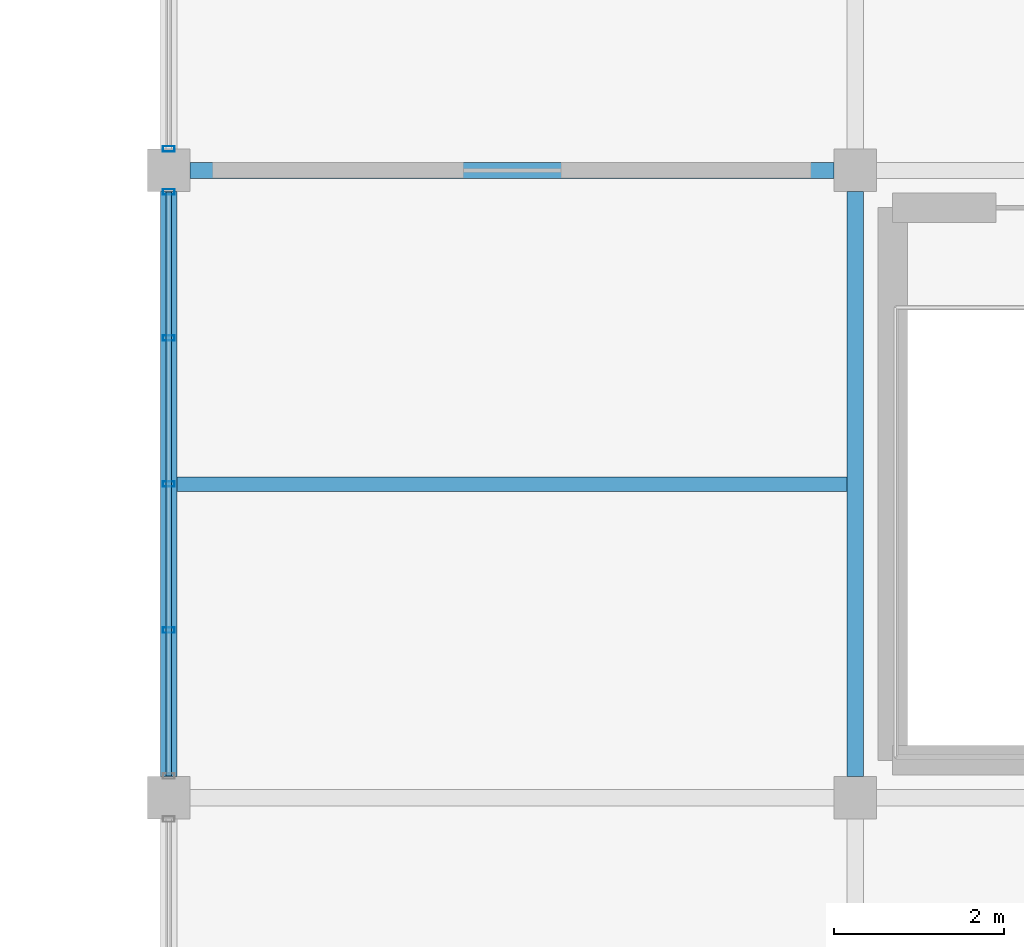
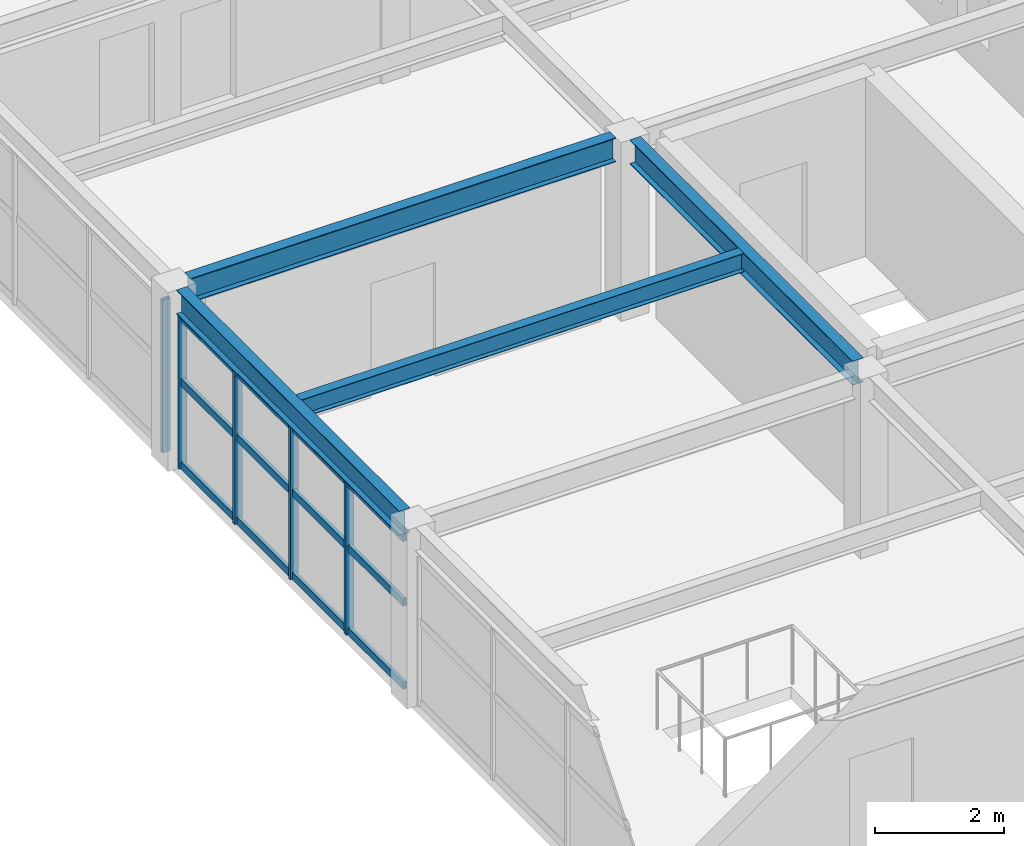
# One storey, part 67 of 93: 8 members, 4 beams, 2 elements without a shape of their own.
"""IFC4 building model written with IfcOpenShell, lengths in metres."""

from ifc_helpers import new_model, si_unit, direction, frame, origin, origin_2d, place, context, subcontext, project, spatial, hollow_rectangle, i_section, extrude, material, material_profile, profile_set, type_object, element, aggregate, save


model = new_model("IFC4")

# Units and contexts
model_context = context("Model", 3, precision=1e-05, world=origin(), true_north=direction((0.0, 1.0)))
body_context = subcontext(model_context, "Body", "Model", "MODEL_VIEW")
ifc_project = project(units=[si_unit("LENGTHUNIT", "METRE"), si_unit("AREAUNIT", "SQUARE_METRE"), si_unit("VOLUMEUNIT", "CUBIC_METRE"), si_unit("PLANEANGLEUNIT", "RADIAN"), si_unit("MASSUNIT", "GRAM", prefix="KILO")], contexts=[model_context])

# Site, building, storey
site_placement = place(None, origin())
site = spatial("IfcSite", under=ifc_project, at=site_placement, CompositionType="ELEMENT")
building_placement = place(site_placement, origin())
building = spatial("IfcBuilding", under=site, at=building_placement, Name="Cimatlan Art Gallery", CompositionType="ELEMENT")
storey_placement = place(building_placement, frame((0.0, 0.0, 13.800048828125)))
storey = spatial("IfcBuildingStorey", under=building, at=storey_placement, Name="L03", CompositionType="ELEMENT", Elevation=13.800048828125)

# Beams
ifc_material_1 = material(Name="Steel ASTM A992 Grade 50", Category="steel")
ifc_material_profile_1 = material_profile(ifc_material_1, i_section(OverallWidth=0.1708984375, OverallDepth=0.35107421875, WebThickness=0.0068359375, FlangeThickness=0.009765625, at=origin_2d()), Name="W14X30")
ifc_profile_set_1 = profile_set([ifc_material_profile_1], Name="Steel ASTM A992 Grade 50")
beam_type_1 = type_object("IfcBeamType", Name="BM-STL-W14X30", PredefinedType="JOIST", material=ifc_profile_set_1)
beam_1_placement = place(storey_placement, frame((147.8955078125, 49.800048828125, 3.204345703125), z_axis=(1.0, 0.0, 0.0), x_axis=(0.0, 1.0, 0.0)))
element("IfcBeam", 1, at=beam_1_placement, inside=storey, type_object=beam_type_1, Name="JST-L03-18-06", PredefinedType="JOIST", context=body_context, shape_type="SweptSolid", body=[
    extrude(i_section(OverallWidth=0.1708984375, OverallDepth=0.35107421875, WebThickness=0.0068359375, FlangeThickness=0.009765625, at=origin_2d()), origin(), (0.0, 0.0, 1.0), 7.908935546875),
])
ifc_material_profile_2 = material_profile(ifc_material_1, i_section(OverallWidth=0.19091796875, OverallDepth=0.45703125, WebThickness=0.009033203125, FlangeThickness=0.014404296875, at=origin_2d()), Name="W18X50")
ifc_profile_set_2 = profile_set([ifc_material_profile_2], Name="Steel ASTM A992 Grade 50")
beam_type_2 = type_object("IfcBeamType", Name="BM-STL-W18X50", PredefinedType="BEAM", material=ifc_profile_set_2)
for number, where, z_axis, x_axis, name in (
    (2, (147.800048828125, 46.35009765625, 3.1513671875), (0.0, 1.0, 0.0), (-1.0, 0.0, 0.0), "BM-Y-L03-18-06"),
    (3, (155.89990234375, 46.35009765625, 3.1513671875), (0.0, 1.0, 0.0), (-1.0, 0.0, 0.0), "BM-Y-L03-19-06"),
):
    element("IfcBeam", number, at=place(storey_placement, frame(where, z_axis=z_axis, x_axis=x_axis)), inside=storey, type_object=beam_type_2, Name=name, PredefinedType="BEAM", context=body_context, shape_type="SweptSolid", body=[
        extrude(i_section(OverallWidth=0.19091796875, OverallDepth=0.45703125, WebThickness=0.009033203125, FlangeThickness=0.014404296875, at=origin_2d()), origin(), (0.0, 0.0, 1.0), 6.89990234375),
    ])
beam_2_placement = place(storey_placement, frame((148.050048828125, 53.5, 3.1513671875), z_axis=(1.0, 0.0, 0.0), x_axis=(0.0, 1.0, 0.0)))
element("IfcBeam", 4, at=beam_2_placement, inside=storey, type_object=beam_type_2, Name="BM-X-L03-18-07", PredefinedType="BEAM", context=body_context, shape_type="SweptSolid", body=[
    extrude(i_section(OverallWidth=0.19091796875, OverallDepth=0.45703125, WebThickness=0.009033203125, FlangeThickness=0.014404296875, at=origin_2d()), origin(), (0.0, 0.0, 1.0), 7.599853515625),
])

# Curtain wall, members
ifc_material_2 = material(Name="Anodised bronze unitised curtain wall")
curtain_wall_type_1 = type_object("IfcCurtainWallType", Name="CW-V-06892X02908-B4", PredefinedType="NOTDEFINED", material=ifc_material_2)
curtain_wall_1_placement = place(storey_placement, origin())
curtain_wall_1 = element("IfcCurtainWall", 5, at=curtain_wall_1_placement, inside=storey, type_object=curtain_wall_type_1, Name="CW-L03-18-06-W", PredefinedType="NOTDEFINED")
ifc_material_3 = material(Name="Anodised bronze aluminium 6063-T6", Category="aluminium")
ifc_material_profile_3 = material_profile(ifc_material_3, hollow_rectangle(XDim=0.06494140625, YDim=0.139892578125, WallThickness=0.00390625, at=origin_2d()), Name="ALU65X140X4")
ifc_profile_set_3 = profile_set([ifc_material_profile_3], Name="Anodised bronze aluminium 6063-T6")
member_type_1 = type_object("IfcMemberType", Name="CW-MUL-140", PredefinedType="MULLION", material=ifc_profile_set_3)
member_1_placement = place(storey_placement, frame((147.800048828125, 48.076904296875, 0.0), z_axis=(0.0, 0.0, 1.0), x_axis=(0.0, 1.0, 0.0)))
member_1 = element("IfcMember", 6, at=member_1_placement, type_object=member_type_1, Name="CW-L03-18-06-W-M2", PredefinedType="MULLION", context=body_context, shape_type="SweptSolid", body=[
    extrude(hollow_rectangle(XDim=0.06494140625, YDim=0.139892578125, WallThickness=0.00390625, at=origin_2d()), origin(), (0.0, 0.0, 1.0), 2.907958984375),
])
member_2_placement = place(storey_placement, frame((147.800048828125, 49.800048828125, 0.0), z_axis=(0.0, 0.0, 1.0), x_axis=(0.0, 1.0, 0.0)))
member_2 = element("IfcMember", 7, at=member_2_placement, type_object=member_type_1, Name="CW-L03-18-06-W-M3", PredefinedType="MULLION", context=body_context, shape_type="SweptSolid", body=[
    extrude(hollow_rectangle(XDim=0.06494140625, YDim=0.139892578125, WallThickness=0.00390625, at=origin_2d()), origin(), (0.0, 0.0, 1.0), 2.907958984375),
])
member_3_placement = place(storey_placement, frame((147.800048828125, 51.52294921875, 0.0), z_axis=(0.0, 0.0, 1.0), x_axis=(0.0, 1.0, 0.0)))
member_3 = element("IfcMember", 8, at=member_3_placement, type_object=member_type_1, Name="CW-L03-18-06-W-M4", PredefinedType="MULLION", context=body_context, shape_type="SweptSolid", body=[
    extrude(hollow_rectangle(XDim=0.06494140625, YDim=0.139892578125, WallThickness=0.00390625, at=origin_2d()), origin(), (0.0, 0.0, 1.0), 2.907958984375),
])
member_4_placement = place(storey_placement, frame((147.800048828125, 53.24609375, 0.0), z_axis=(0.0, 0.0, 1.0), x_axis=(0.0, 1.0, 0.0)))
member_4 = element("IfcMember", 9, at=member_4_placement, type_object=member_type_1, Name="CW-L03-18-06-W-M5", PredefinedType="MULLION", context=body_context, shape_type="SweptSolid", body=[
    extrude(hollow_rectangle(XDim=0.06494140625, YDim=0.139892578125, WallThickness=0.00390625, at=origin_2d()), origin(), (0.0, 0.0, 1.0), 2.907958984375),
])

# Curtain wall, member
curtain_wall_type_2 = type_object("IfcCurtainWallType", Name="CW-V-06892X02893-B3", PredefinedType="NOTDEFINED", material=ifc_material_2)
curtain_wall_2_placement = place(storey_placement, origin())
curtain_wall_2 = element("IfcCurtainWall", 10, at=curtain_wall_2_placement, inside=storey, type_object=curtain_wall_type_2, Name="CW-L03-18-07-W", PredefinedType="NOTDEFINED")
member_5_placement = place(storey_placement, frame((147.800048828125, 53.75390625, 0.0), z_axis=(0.0, 0.0, 1.0), x_axis=(0.0, 1.0, 0.0)))
member_5 = element("IfcMember", 11, at=member_5_placement, type_object=member_type_1, Name="CW-L03-18-07-W-M1", PredefinedType="MULLION", context=body_context, shape_type="SweptSolid", body=[
    extrude(hollow_rectangle(XDim=0.06494140625, YDim=0.139892578125, WallThickness=0.00390625, at=origin_2d()), origin(), (0.0, 0.0, 1.0), 2.89306640625),
])
aggregate(curtain_wall_2, [member_5])

# Member
ifc_material_profile_4 = material_profile(ifc_material_3, hollow_rectangle(XDim=0.06494140625, YDim=0.139892578125, WallThickness=0.00390625, at=origin_2d()), Name="ALU65X140X4")
ifc_profile_set_4 = profile_set([ifc_material_profile_4], Name="Anodised bronze aluminium 6063-T6")
member_type_2 = type_object("IfcMemberType", Name="CW-TRN-140", PredefinedType="USERDEFINED", material=ifc_profile_set_4)
member_6_placement = place(storey_placement, frame((147.800048828125, 46.35400390625, 0.06005859375), z_axis=(0.0, 1.0, 0.0), x_axis=(-1.0, 0.0, 0.0)))
member_6 = element("IfcMember", 12, at=member_6_placement, type_object=member_type_2, Name="CW-L03-18-06-W-T1", ObjectType="TRANSOM", PredefinedType="USERDEFINED", context=body_context, shape_type="SweptSolid", body=[
    extrude(hollow_rectangle(XDim=0.06494140625, YDim=0.139892578125, WallThickness=0.00390625, at=origin_2d()), origin(), (0.0, 0.0, 1.0), 6.89208984375),
])

member_7_placement = place(storey_placement, frame((147.800048828125, 46.35400390625, 1.62841796875), z_axis=(0.0, 1.0, 0.0), x_axis=(-1.0, 0.0, 0.0)))
member_7 = element("IfcMember", 13, at=member_7_placement, type_object=member_type_2, Name="CW-L03-18-06-W-T2", ObjectType="TRANSOM", PredefinedType="USERDEFINED", context=body_context, shape_type="SweptSolid", body=[
    extrude(hollow_rectangle(XDim=0.06494140625, YDim=0.139892578125, WallThickness=0.00390625, at=origin_2d()), origin(), (0.0, 0.0, 1.0), 6.89208984375),
])

member_8_placement = place(storey_placement, frame((147.800048828125, 46.35400390625, 2.847900390625), z_axis=(0.0, 1.0, 0.0), x_axis=(-1.0, 0.0, 0.0)))
member_8 = element("IfcMember", 14, at=member_8_placement, type_object=member_type_2, Name="CW-L03-18-06-W-T3", ObjectType="TRANSOM", PredefinedType="USERDEFINED", context=body_context, shape_type="SweptSolid", body=[
    extrude(hollow_rectangle(XDim=0.06494140625, YDim=0.139892578125, WallThickness=0.00390625, at=origin_2d()), origin(), (0.0, 0.0, 1.0), 6.89208984375),
])

aggregate(curtain_wall_1, [member_1, member_2, member_3, member_4, member_6, member_7, member_8])

save(model, "model.ifc")
